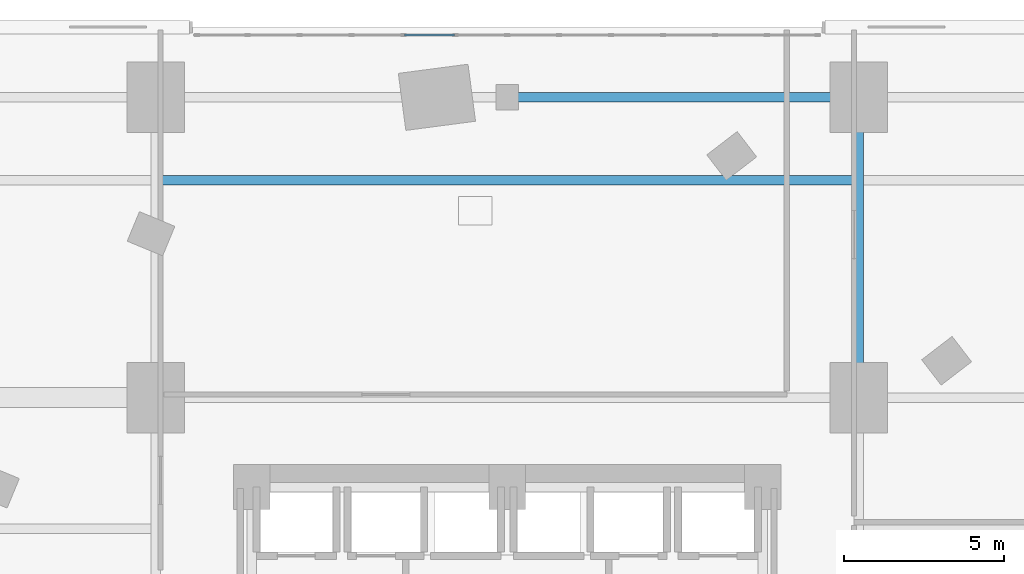
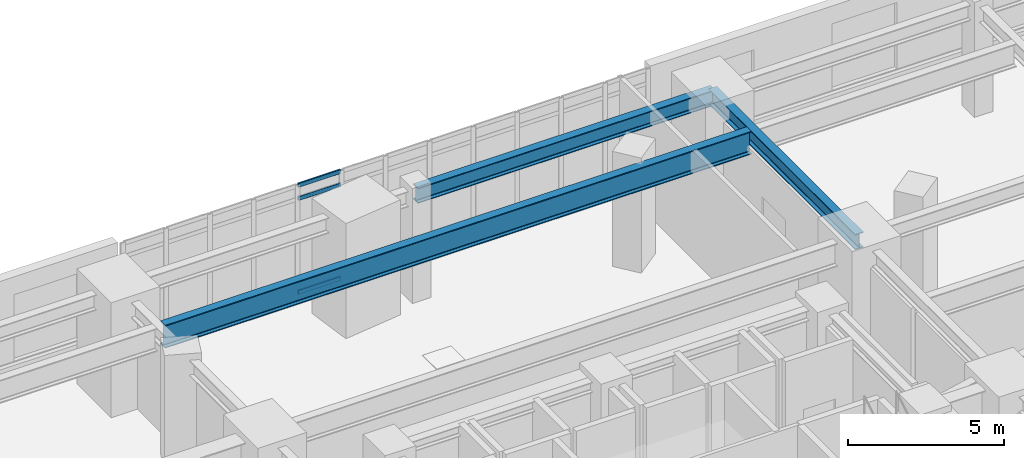
# One storey, part 9 of 20: 4 members, 3 beams, 1 element without a shape of its own.
"""IFC4 building model written with IfcOpenShell, lengths in metres."""

from ifc_helpers import new_model, si_unit, direction, frame, origin, origin_2d, place, context, subcontext, project, spatial, hollow_rectangle, i_section, extrude, material, layer, layer_set, material_profile, profile_set, type_object, element, aggregate, save


model = new_model("IFC4")

# Units and contexts
model_context = context("Model", 3, precision=1e-05, world=origin(), true_north=direction((0.0, 1.0)))
body_context = subcontext(model_context, "Body", "Model", "MODEL_VIEW")
ifc_project = project(units=[si_unit("LENGTHUNIT", "METRE"), si_unit("AREAUNIT", "SQUARE_METRE"), si_unit("VOLUMEUNIT", "CUBIC_METRE"), si_unit("PLANEANGLEUNIT", "RADIAN"), si_unit("MASSUNIT", "GRAM", prefix="KILO")], contexts=[model_context])

# Site, building, storey
site_placement = place(None, origin())
site = spatial("IfcSite", under=ifc_project, at=site_placement, CompositionType="ELEMENT")
building_placement = place(site_placement, origin())
building = spatial("IfcBuilding", under=site, at=building_placement, Name="Ndelora Gate Hotel", CompositionType="ELEMENT")
storey_placement = place(building_placement, frame((0.0, 0.0, 26.0)))
storey = spatial("IfcBuildingStorey", under=building, at=storey_placement, Name="L05", CompositionType="ELEMENT", Elevation=26.0)

# Beams
ifc_material_1 = material(Name="Steel S460", Category="steel")
ifc_material_profile_1 = material_profile(ifc_material_1, i_section(OverallWidth=0.300048828125, OverallDepth=0.89990234375, WebThickness=0.0185546875, FlangeThickness=0.034912109375, FilletRadius=0.030029296875, at=origin_2d()), Name="HEB 900")
ifc_profile_set_1 = profile_set([ifc_material_profile_1], Name="Steel S460")
beam_type_1 = type_object("IfcBeamType", Name="BM-BELT-900", PredefinedType="SPANDREL", material=ifc_profile_set_1)
beam_1_placement = place(storey_placement, frame((-10.85009765625, 16.199951171875, 3.800048828125), z_axis=(1.0, 0.0, 0.0), x_axis=(0.0, 1.0, 0.0)))
element("IfcBeam", 1, at=beam_1_placement, inside=storey, type_object=beam_type_1, Name="L05 Podium Composite Secondary Joist 3", PredefinedType="SPANDREL", context=body_context, shape_type="SweptSolid", body=[
    extrude(i_section(OverallWidth=0.300048828125, OverallDepth=0.89990234375, WebThickness=0.0185546875, FlangeThickness=0.034912109375, FilletRadius=0.030029296875, at=origin_2d()), origin(), (0.0, 0.0, 1.0), 21.7001953125),
])
ifc_material_2 = material(Name="Steel S355", Category="steel")
ifc_material_profile_2 = material_profile(ifc_material_2, i_section(OverallWidth=0.300048828125, OverallDepth=0.60009765625, WebThickness=0.015380859375, FlangeThickness=0.030029296875, FilletRadius=0.027099609375, at=origin_2d()), Name="HEB 600")
ifc_profile_set_2 = profile_set([ifc_material_profile_2], Name="Steel S355")
beam_type_2 = type_object("IfcBeamType", Name="BM-POD-600", PredefinedType="BEAM", material=ifc_profile_set_2)
beam_2_placement = place(storey_placement, frame((11.0, 9.39990234375, 3.93994140625), z_axis=(0.0, 1.0, 0.0), x_axis=(-1.0, 0.0, 0.0)))
element("IfcBeam", 2, at=beam_2_placement, inside=storey, type_object=beam_type_2, Name="L05 Podium Longitudinal Girder X=+11.0", PredefinedType="BEAM", context=body_context, shape_type="SweptSolid", body=[
    extrude(i_section(OverallWidth=0.300048828125, OverallDepth=0.60009765625, WebThickness=0.015380859375, FlangeThickness=0.030029296875, FilletRadius=0.027099609375, at=origin_2d()), origin(), (0.0, 0.0, 1.0), 9.400146484375),
])
beam_3_placement = place(storey_placement, frame((0.0, 18.800048828125, 3.93994140625), z_axis=(1.0, 0.0, 0.0), x_axis=(0.0, 1.0, 0.0)))
element("IfcBeam", 3, at=beam_3_placement, inside=storey, type_object=beam_type_2, Name="L05 Podium Transverse Girder Y=+18.8", PredefinedType="BEAM", context=body_context, shape_type="SweptSolid", body=[
    extrude(i_section(OverallWidth=0.300048828125, OverallDepth=0.60009765625, WebThickness=0.015380859375, FlangeThickness=0.030029296875, FilletRadius=0.027099609375, at=origin_2d()), origin(), (0.0, 0.0, 1.0), 11.0),
])

# Curtain wall, members
ifc_material_3 = material(Name="Bronze Anodised Unitised Aluminium and Low-E Glass", Category="aluminium")
ifc_layer = layer(ifc_material_3, 0.219970703125)
ifc_layer_set = layer_set([ifc_layer], Name="Bronze Anodised Unitised Aluminium and Low-E Glass")
curtain_wall_type = type_object("IfcCurtainWallType", Name="CW-SYS-2", PredefinedType="NOTDEFINED", material=ifc_layer_set)
curtain_wall_placement = place(storey_placement, origin())
curtain_wall = element("IfcCurtainWall", 4, at=curtain_wall_placement, inside=storey, type_object=curtain_wall_type, Name="L05 North Banquet Pre-Function Curtain Wall CW2", PredefinedType="NOTDEFINED")
ifc_material_4 = material(Name="Bronze Anodised Aluminium 6063-T6", Category="aluminium")
ifc_material_profile_3 = material_profile(ifc_material_4, hollow_rectangle(XDim=0.06494140625, YDim=0.159912109375, WallThickness=0.00390625, InnerFilletRadius=0.00390625, OuterFilletRadius=0.008056640625, at=origin_2d()), Name="ALU 160x65x4")
ifc_profile_set_3 = profile_set([ifc_material_profile_3], Name="Bronze Anodised Aluminium 6063-T6")
member_type = type_object("IfcMemberType", Name="MB-CW-TRN150", PredefinedType="USERDEFINED", material=ifc_profile_set_3)
member_1_placement = place(storey_placement, frame((-1.654052734375, 20.75, 0.032470703125), z_axis=(-1.0, 0.0, 0.0), x_axis=(0.0, -1.0, 0.0)))
member_1 = element("IfcMember", 5, at=member_1_placement, type_object=member_type, Name="CW2 transom 8.1", ObjectType="TRANSOM", PredefinedType="USERDEFINED", context=body_context, shape_type="SweptSolid", body=[
    extrude(hollow_rectangle(XDim=0.06494140625, YDim=0.159912109375, WallThickness=0.00390625, InnerFilletRadius=0.00390625, OuterFilletRadius=0.008056640625, at=origin_2d()), origin(), (0.0, 0.0, 1.0), 1.56689453125),
])
member_2_placement = place(storey_placement, frame((-1.654052734375, 20.75, 0.60009765625), z_axis=(-1.0, 0.0, 0.0), x_axis=(0.0, -1.0, 0.0)))
member_2 = element("IfcMember", 6, at=member_2_placement, type_object=member_type, Name="CW2 transom 8.2", ObjectType="TRANSOM", PredefinedType="USERDEFINED", context=body_context, shape_type="SweptSolid", body=[
    extrude(hollow_rectangle(XDim=0.06494140625, YDim=0.159912109375, WallThickness=0.00390625, InnerFilletRadius=0.00390625, OuterFilletRadius=0.008056640625, at=origin_2d()), origin(), (0.0, 0.0, 1.0), 1.56689453125),
])
member_3_placement = place(storey_placement, frame((-1.654052734375, 20.75, 3.699951171875), z_axis=(-1.0, 0.0, 0.0), x_axis=(0.0, -1.0, 0.0)))
member_3 = element("IfcMember", 7, at=member_3_placement, type_object=member_type, Name="CW2 transom 8.3", ObjectType="TRANSOM", PredefinedType="USERDEFINED", context=body_context, shape_type="SweptSolid", body=[
    extrude(hollow_rectangle(XDim=0.06494140625, YDim=0.159912109375, WallThickness=0.00390625, InnerFilletRadius=0.00390625, OuterFilletRadius=0.008056640625, at=origin_2d()), origin(), (0.0, 0.0, 1.0), 1.56689453125),
])
member_4_placement = place(storey_placement, frame((-1.654052734375, 20.75, 4.217529296875), z_axis=(-1.0, 0.0, 0.0), x_axis=(0.0, -1.0, 0.0)))
member_4 = element("IfcMember", 8, at=member_4_placement, type_object=member_type, Name="CW2 transom 8.4", ObjectType="TRANSOM", PredefinedType="USERDEFINED", context=body_context, shape_type="SweptSolid", body=[
    extrude(hollow_rectangle(XDim=0.06494140625, YDim=0.159912109375, WallThickness=0.00390625, InnerFilletRadius=0.00390625, OuterFilletRadius=0.008056640625, at=origin_2d()), origin(), (0.0, 0.0, 1.0), 1.56689453125),
])
aggregate(curtain_wall, [member_1, member_2, member_3, member_4])

save(model, "model.ifc")
